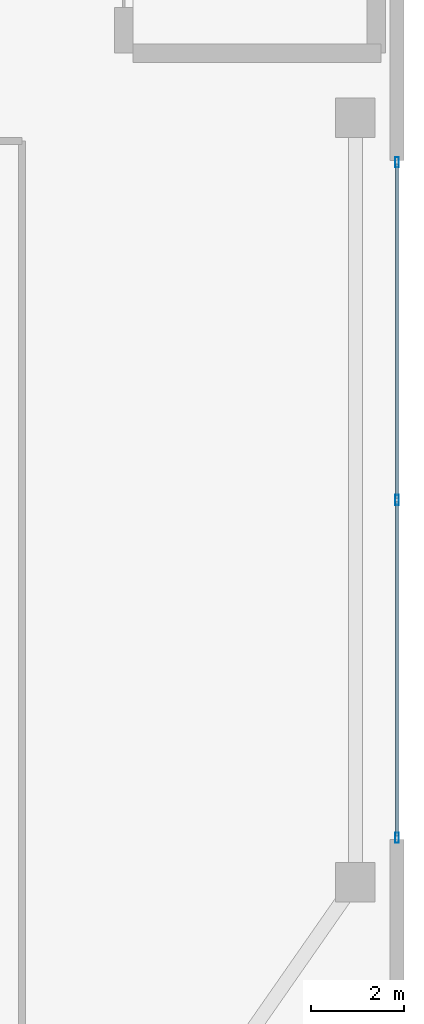
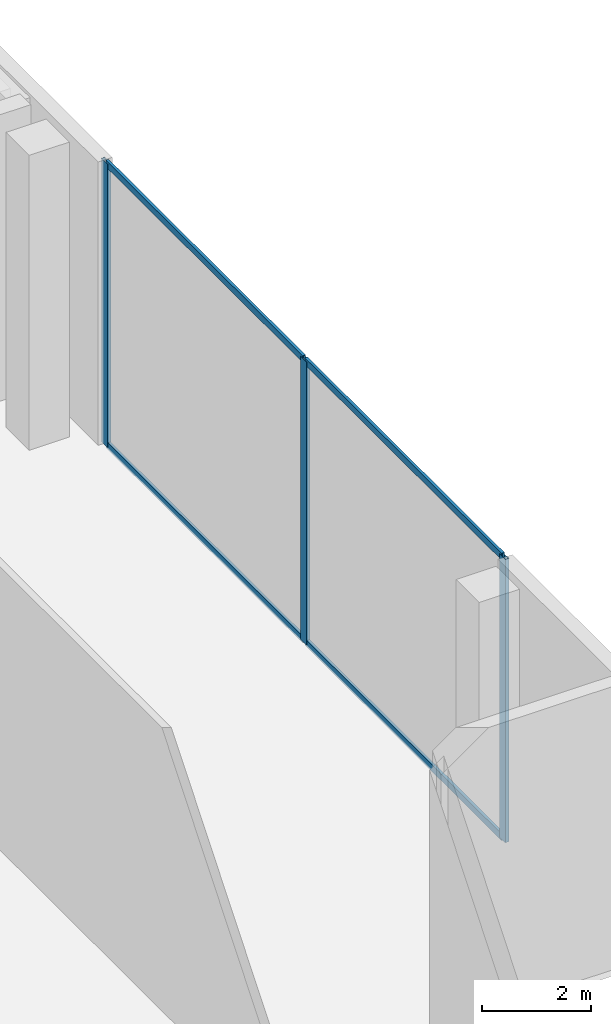
# One storey, part 20 of 30: 7 members, 1 element without a shape of its own.
"""IFC4 building model written with IfcOpenShell, lengths in metres."""

from ifc_helpers import new_model, si_unit, direction, frame, origin, origin_2d, place, context, subcontext, project, spatial, hollow_rectangle, extrude, material, layer, layer_set, material_profile, profile_set, type_object, element, aggregate, save


model = new_model("IFC4")

# Units and contexts
model_context = context("Model", 3, precision=1e-05, world=origin(), true_north=direction((0.0, 1.0)))
body_context = subcontext(model_context, "Body", "Model", "MODEL_VIEW")
ifc_project = project(units=[si_unit("LENGTHUNIT", "METRE"), si_unit("AREAUNIT", "SQUARE_METRE"), si_unit("VOLUMEUNIT", "CUBIC_METRE"), si_unit("PLANEANGLEUNIT", "RADIAN"), si_unit("MASSUNIT", "GRAM", prefix="KILO")], contexts=[model_context])

# Site, building, storey
site_placement = place(None, origin())
site = spatial("IfcSite", under=ifc_project, at=site_placement, CompositionType="ELEMENT")
building_placement = place(site_placement, origin())
building = spatial("IfcBuilding", under=site, at=building_placement, Name="Zuhayl Quay Hotel", CompositionType="ELEMENT")
storey_placement = place(building_placement, frame((0.0, 0.0, 11.39990234375)))
storey = spatial("IfcBuildingStorey", under=building, at=storey_placement, Name="L02", CompositionType="ELEMENT", Elevation=11.39990234375)

# Curtain wall, members
ifc_material_1 = material(Name="Anodised Aluminium 6063-T6", Category="aluminium")
ifc_layer = layer(ifc_material_1, 0.199951171875, Name="Anodised Aluminium 6063-T6", Category="aluminium")
ifc_layer_set = layer_set([ifc_layer], Name="Anodised Aluminium 6063-T6")
curtain_wall_type = type_object("IfcCurtainWallType", Name="CW_SYS_POD", PredefinedType="USERDEFINED", material=ifc_layer_set)
curtain_wall_placement = place(storey_placement, origin())
curtain_wall = element("IfcCurtainWall", 1, at=curtain_wall_placement, inside=storey, type_object=curtain_wall_type, Name="L02 Curtain Wall ENV_L02_E08_CW3", ObjectType="UNITISED CURTAIN WALL", PredefinedType="USERDEFINED")
ifc_material_2 = material(Name="Black-anodised aluminium 6063-T6", Category="aluminium")
ifc_material_profile_1 = material_profile(ifc_material_2, hollow_rectangle(XDim=0.074951171875, YDim=0.219970703125, WallThickness=0.00390625, at=origin_2d()), Name="ALU220X75")
ifc_profile_set_1 = profile_set([ifc_material_profile_1], Name="Black-anodised aluminium 6063-T6")
member_type_1 = type_object("IfcMemberType", Name="MB_CW_MUL_220", PredefinedType="MULLION", material=ifc_profile_set_1)
member_1_placement = place(storey_placement, frame((36.0, -0.95751953125, 0.0), z_axis=(0.0, 0.0, 1.0), x_axis=(1.0, 0.0, 0.0)))
member_1 = element("IfcMember", 2, at=member_1_placement, type_object=member_type_1, Name="CW-POD mullion 1", PredefinedType="MULLION", context=body_context, shape_type="SweptSolid", body=[
    extrude(hollow_rectangle(XDim=0.074951171875, YDim=0.219970703125, WallThickness=0.00390625, at=origin_2d()), origin(), (0.0, 0.0, 1.0), 6.340087890625),
])
member_2_placement = place(storey_placement, frame((36.0, -8.25, 0.0), z_axis=(0.0, 0.0, 1.0), x_axis=(1.0, 0.0, 0.0)))
member_2 = element("IfcMember", 3, at=member_2_placement, type_object=member_type_1, Name="CW-POD mullion 2", PredefinedType="MULLION", context=body_context, shape_type="SweptSolid", body=[
    extrude(hollow_rectangle(XDim=0.074951171875, YDim=0.219970703125, WallThickness=0.00390625, at=origin_2d()), origin(), (0.0, 0.0, 1.0), 6.340087890625),
])
member_3_placement = place(storey_placement, frame((36.0, -15.54248046875, 0.0), z_axis=(0.0, 0.0, 1.0), x_axis=(1.0, 0.0, 0.0)))
member_3 = element("IfcMember", 4, at=member_3_placement, type_object=member_type_1, Name="CW-POD mullion 3", PredefinedType="MULLION", context=body_context, shape_type="SweptSolid", body=[
    extrude(hollow_rectangle(XDim=0.074951171875, YDim=0.219970703125, WallThickness=0.00390625, at=origin_2d()), origin(), (0.0, 0.0, 1.0), 6.340087890625),
])
ifc_material_profile_2 = material_profile(ifc_material_2, hollow_rectangle(XDim=0.06005859375, YDim=0.14990234375, WallThickness=0.00341796875, at=origin_2d()), Name="ALU150X60")
ifc_profile_set_2 = profile_set([ifc_material_profile_2], Name="Black-anodised aluminium 6063-T6")
member_type_2 = type_object("IfcMemberType", Name="MB_CW_TRN_150", PredefinedType="USERDEFINED", material=ifc_profile_set_2)
member_4_placement = place(storey_placement, frame((36.0, -0.9951171875, 0.030029296875), z_axis=(0.0, -1.0, 0.0), x_axis=(1.0, 0.0, 0.0)))
member_4 = element("IfcMember", 5, at=member_4_placement, type_object=member_type_2, Name="CW-POD transom 1.1", ObjectType="TRANSOM", PredefinedType="USERDEFINED", context=body_context, shape_type="SweptSolid", body=[
    extrude(hollow_rectangle(XDim=0.06005859375, YDim=0.14990234375, WallThickness=0.00341796875, at=origin_2d()), origin(), (0.0, 0.0, 1.0), 7.21728515625),
])
member_5_placement = place(storey_placement, frame((36.0, -0.9951171875, 6.31005859375), z_axis=(0.0, -1.0, 0.0), x_axis=(1.0, 0.0, 0.0)))
member_5 = element("IfcMember", 6, at=member_5_placement, type_object=member_type_2, Name="CW-POD transom 1.2", ObjectType="TRANSOM", PredefinedType="USERDEFINED", context=body_context, shape_type="SweptSolid", body=[
    extrude(hollow_rectangle(XDim=0.06005859375, YDim=0.14990234375, WallThickness=0.00341796875, at=origin_2d()), origin(), (0.0, 0.0, 1.0), 7.21728515625),
])
member_6_placement = place(storey_placement, frame((36.0, -8.28759765625, 0.030029296875), z_axis=(0.0, -1.0, 0.0), x_axis=(1.0, 0.0, 0.0)))
member_6 = element("IfcMember", 7, at=member_6_placement, type_object=member_type_2, Name="CW-POD transom 2.1", ObjectType="TRANSOM", PredefinedType="USERDEFINED", context=body_context, shape_type="SweptSolid", body=[
    extrude(hollow_rectangle(XDim=0.06005859375, YDim=0.14990234375, WallThickness=0.00341796875, at=origin_2d()), origin(), (0.0, 0.0, 1.0), 7.21728515625),
])
member_7_placement = place(storey_placement, frame((36.0, -8.28759765625, 6.31005859375), z_axis=(0.0, -1.0, 0.0), x_axis=(1.0, 0.0, 0.0)))
member_7 = element("IfcMember", 8, at=member_7_placement, type_object=member_type_2, Name="CW-POD transom 2.2", ObjectType="TRANSOM", PredefinedType="USERDEFINED", context=body_context, shape_type="SweptSolid", body=[
    extrude(hollow_rectangle(XDim=0.06005859375, YDim=0.14990234375, WallThickness=0.00341796875, at=origin_2d()), origin(), (0.0, 0.0, 1.0), 7.21728515625),
])
aggregate(curtain_wall, [member_1, member_2, member_3, member_4, member_5, member_6, member_7])

save(model, "model.ifc")
